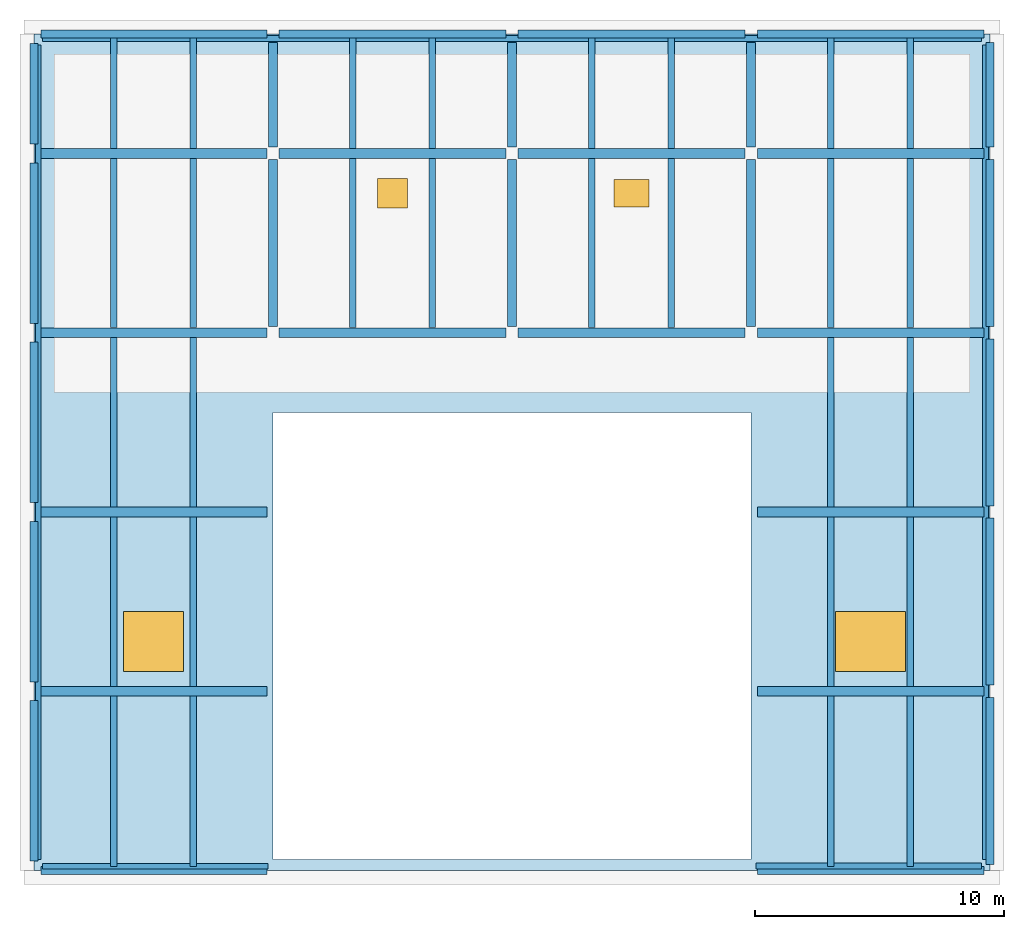
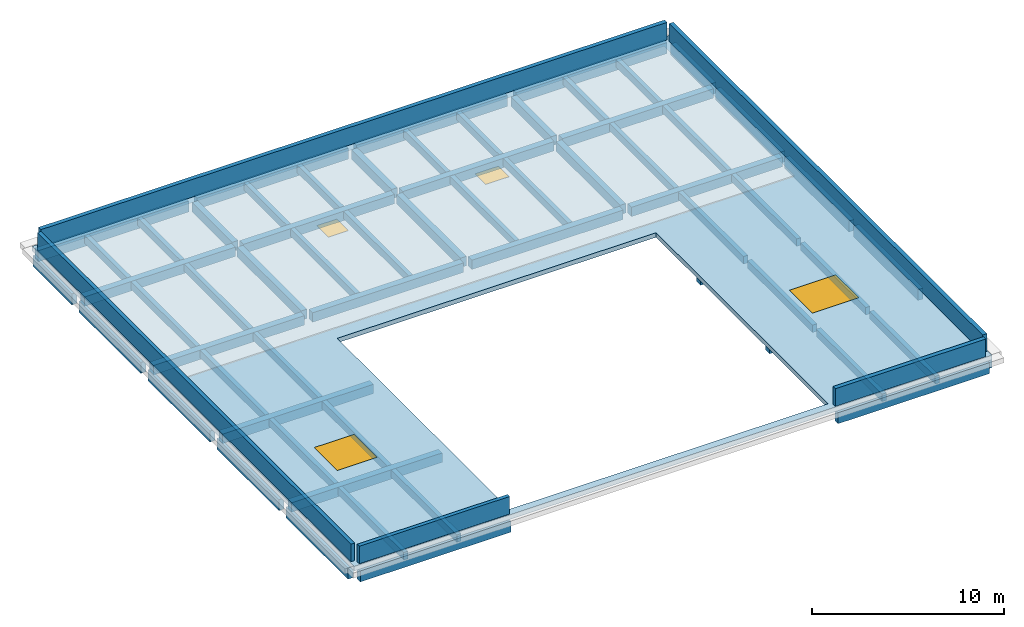
"""IFC4 building model written with IfcOpenShell, lengths in metres."""

from ifc_helpers import new_model, si_unit, direction, frame, frame_2d, origin, origin_2d, place, context, subcontext, project, spatial, polyline, rectangle, outline, extrude, material, layer, layer_set, material_profile, profile_set, type_object, element, fill, save


model = new_model("IFC4")

# Units and contexts
model_context = context("Model", 3, precision=1e-05, world=origin(), true_north=direction((0.0, 1.0)))
body_context = subcontext(model_context, "Body", "Model", "MODEL_VIEW")
ifc_project = project(units=[si_unit("LENGTHUNIT", "METRE"), si_unit("AREAUNIT", "SQUARE_METRE"), si_unit("VOLUMEUNIT", "CUBIC_METRE"), si_unit("PLANEANGLEUNIT", "RADIAN"), si_unit("MASSUNIT", "GRAM", prefix="KILO")], contexts=[model_context])

# Site, building, storey
site_placement = place(None, origin())
site = spatial("IfcSite", under=ifc_project, at=site_placement, CompositionType="ELEMENT")
building_placement = place(site_placement, origin())
building = spatial("IfcBuilding", under=site, at=building_placement, Name="Asteropetra Specialist Clinic", CompositionType="ELEMENT")
storey_1_placement = place(building_placement, frame((0.0, 0.0, 24.820068359375)))
storey_1 = spatial("IfcBuildingStorey", under=building, at=storey_1_placement, Name="ROOF", CompositionType="ELEMENT", Elevation=24.820068359375)

# Beams
ifc_material_1 = material(Name="Concrete C35/45", Category="concrete")
ifc_material_profile_1 = material_profile(ifc_material_1, rectangle(XDim=0.35009765625, YDim=0.60009765625, at=origin_2d()), Name="RCB 350x600")
ifc_profile_set_1 = profile_set([ifc_material_profile_1], Name="Concrete C35/45")
beam_type_1 = type_object("IfcBeamType", Name="BM-RC350x600", PredefinedType="BEAM", material=ifc_profile_set_1)
for number, where, z_axis, x_axis, name in (
    (1, (9.60009765625, 98.64990234375, -0.590087890625), (0.0, 1.0, 0.0), (-1.0, 0.0, 0.0), "Beam BBM09-2155"),
    (2, (19.199951171875, 98.64990234375, -0.590087890625), (0.0, 1.0, 0.0), (-1.0, 0.0, 0.0), "Beam BBM09-2156"),
    (3, (28.800048828125, 98.64990234375, -0.590087890625), (0.0, 1.0, 0.0), (-1.0, 0.0, 0.0), "Beam BBM09-2157"),
):
    element("IfcBeam", number, at=place(storey_1_placement, frame(where, z_axis=z_axis, x_axis=x_axis)), inside=storey_1, type_object=beam_type_1, Name=name, PredefinedType="BEAM", context=body_context, shape_type="SweptSolid", body=[
        extrude(rectangle(XDim=0.35009765625, YDim=0.60009765625, at=origin_2d()), origin(), (0.0, 0.0, 1.0), 6.7001953125),
    ])
for number, where, z_axis, x_axis, name in (
    (4, (9.60009765625, 105.85009765625, -0.590087890625), (0.0, 1.0, 0.0), (-1.0, 0.0, 0.0), "Beam BBM09-2168"),
    (5, (19.199951171875, 105.85009765625, -0.590087890625), (0.0, 1.0, 0.0), (-1.0, 0.0, 0.0), "Beam BBM09-2169"),
    (6, (28.800048828125, 105.85009765625, -0.590087890625), (0.0, 1.0, 0.0), (-1.0, 0.0, 0.0), "Beam BBM09-2170"),
):
    element("IfcBeam", number, at=place(storey_1_placement, frame(where, z_axis=z_axis, x_axis=x_axis)), inside=storey_1, type_object=beam_type_1, Name=name, PredefinedType="BEAM", context=body_context, shape_type="SweptSolid", body=[
        extrude(rectangle(XDim=0.35009765625, YDim=0.60009765625, at=origin_2d()), origin(), (0.0, 0.0, 1.0), 4.199951171875),
    ])
ifc_material_2 = material(Name="Concrete C35/45", Category="concrete")
ifc_material_profile_2 = material_profile(ifc_material_2, rectangle(XDim=0.39990234375, YDim=0.60009765625, at=origin_2d()), Name="RCB 400x600")
ifc_profile_set_2 = profile_set([ifc_material_profile_2], Name="Concrete C35/45")
beam_type_2 = type_object("IfcBeamType", Name="BM-RC400x600", PredefinedType="BEAM", material=ifc_profile_set_2)
beam_1_placement = place(storey_1_placement, frame((0.27490234375, 84.0, -0.590087890625), z_axis=(1.0, 0.0, 0.0), x_axis=(0.0, 1.0, 0.0)))
element("IfcBeam", 7, at=beam_1_placement, inside=storey_1, type_object=beam_type_2, Name="Beam BBM08-2120", PredefinedType="BEAM", context=body_context, shape_type="SweptSolid", body=[
    extrude(rectangle(XDim=0.39990234375, YDim=0.60009765625, at=origin_2d()), origin(), (0.0, 0.0, 1.0), 9.0751953125),
])
beam_2_placement = place(storey_1_placement, frame((29.050048828125, 84.0, -0.590087890625), z_axis=(1.0, 0.0, 0.0), x_axis=(0.0, 1.0, 0.0)))
element("IfcBeam", 8, at=beam_2_placement, inside=storey_1, type_object=beam_type_2, Name="Beam BBM08-2121", PredefinedType="BEAM", context=body_context, shape_type="SweptSolid", body=[
    extrude(rectangle(XDim=0.39990234375, YDim=0.60009765625, at=origin_2d()), origin(), (0.0, 0.0, 1.0), 9.099853515625),
])
beam_3_placement = place(storey_1_placement, frame((0.27490234375, 91.199951171875, -0.590087890625), z_axis=(1.0, 0.0, 0.0), x_axis=(0.0, 1.0, 0.0)))
element("IfcBeam", 9, at=beam_3_placement, inside=storey_1, type_object=beam_type_2, Name="Beam BBM08-2122", PredefinedType="BEAM", context=body_context, shape_type="SweptSolid", body=[
    extrude(rectangle(XDim=0.39990234375, YDim=0.60009765625, at=origin_2d()), origin(), (0.0, 0.0, 1.0), 9.0751953125),
])
beam_4_placement = place(storey_1_placement, frame((29.050048828125, 91.199951171875, -0.590087890625), z_axis=(1.0, 0.0, 0.0), x_axis=(0.0, 1.0, 0.0)))
element("IfcBeam", 10, at=beam_4_placement, inside=storey_1, type_object=beam_type_2, Name="Beam BBM08-2123", PredefinedType="BEAM", context=body_context, shape_type="SweptSolid", body=[
    extrude(rectangle(XDim=0.39990234375, YDim=0.60009765625, at=origin_2d()), origin(), (0.0, 0.0, 1.0), 9.099853515625),
])
beam_5_placement = place(storey_1_placement, frame((0.27490234375, 98.39990234375, -0.590087890625), z_axis=(1.0, 0.0, 0.0), x_axis=(0.0, 1.0, 0.0)))
element("IfcBeam", 11, at=beam_5_placement, inside=storey_1, type_object=beam_type_2, Name="Beam BBM08-2124", PredefinedType="BEAM", context=body_context, shape_type="SweptSolid", body=[
    extrude(rectangle(XDim=0.39990234375, YDim=0.60009765625, at=origin_2d()), origin(), (0.0, 0.0, 1.0), 9.0751953125),
])
beam_6_placement = place(storey_1_placement, frame((9.85009765625, 98.39990234375, -0.590087890625), z_axis=(1.0, 0.0, 0.0), x_axis=(0.0, 1.0, 0.0)))
element("IfcBeam", 12, at=beam_6_placement, inside=storey_1, type_object=beam_type_2, Name="Beam BBM08-2125", PredefinedType="BEAM", context=body_context, shape_type="SweptSolid", body=[
    extrude(rectangle(XDim=0.39990234375, YDim=0.60009765625, at=origin_2d()), origin(), (0.0, 0.0, 1.0), 9.099853515625),
])
beam_7_placement = place(storey_1_placement, frame((19.449951171875, 98.39990234375, -0.590087890625), z_axis=(1.0, 0.0, 0.0), x_axis=(0.0, 1.0, 0.0)))
element("IfcBeam", 13, at=beam_7_placement, inside=storey_1, type_object=beam_type_2, Name="Beam BBM08-2126", PredefinedType="BEAM", context=body_context, shape_type="SweptSolid", body=[
    extrude(rectangle(XDim=0.39990234375, YDim=0.60009765625, at=origin_2d()), origin(), (0.0, 0.0, 1.0), 9.10009765625),
])
beam_8_placement = place(storey_1_placement, frame((29.050048828125, 98.39990234375, -0.590087890625), z_axis=(1.0, 0.0, 0.0), x_axis=(0.0, 1.0, 0.0)))
element("IfcBeam", 14, at=beam_8_placement, inside=storey_1, type_object=beam_type_2, Name="Beam BBM08-2127", PredefinedType="BEAM", context=body_context, shape_type="SweptSolid", body=[
    extrude(rectangle(XDim=0.39990234375, YDim=0.60009765625, at=origin_2d()), origin(), (0.0, 0.0, 1.0), 9.099853515625),
])
beam_9_placement = place(storey_1_placement, frame((0.27490234375, 105.60009765625, -0.590087890625), z_axis=(1.0, 0.0, 0.0), x_axis=(0.0, 1.0, 0.0)))
element("IfcBeam", 15, at=beam_9_placement, inside=storey_1, type_object=beam_type_2, Name="Beam BBM08-2128", PredefinedType="BEAM", context=body_context, shape_type="SweptSolid", body=[
    extrude(rectangle(XDim=0.39990234375, YDim=0.60009765625, at=origin_2d()), origin(), (0.0, 0.0, 1.0), 9.0751953125),
])
beam_10_placement = place(storey_1_placement, frame((9.85009765625, 105.60009765625, -0.590087890625), z_axis=(1.0, 0.0, 0.0), x_axis=(0.0, 1.0, 0.0)))
element("IfcBeam", 16, at=beam_10_placement, inside=storey_1, type_object=beam_type_2, Name="Beam BBM08-2129", PredefinedType="BEAM", context=body_context, shape_type="SweptSolid", body=[
    extrude(rectangle(XDim=0.39990234375, YDim=0.60009765625, at=origin_2d()), origin(), (0.0, 0.0, 1.0), 9.099853515625),
])
beam_11_placement = place(storey_1_placement, frame((19.449951171875, 105.60009765625, -0.590087890625), z_axis=(1.0, 0.0, 0.0), x_axis=(0.0, 1.0, 0.0)))
element("IfcBeam", 17, at=beam_11_placement, inside=storey_1, type_object=beam_type_2, Name="Beam BBM08-2130", PredefinedType="BEAM", context=body_context, shape_type="SweptSolid", body=[
    extrude(rectangle(XDim=0.39990234375, YDim=0.60009765625, at=origin_2d()), origin(), (0.0, 0.0, 1.0), 9.10009765625),
])
beam_12_placement = place(storey_1_placement, frame((29.050048828125, 105.60009765625, -0.590087890625), z_axis=(1.0, 0.0, 0.0), x_axis=(0.0, 1.0, 0.0)))
element("IfcBeam", 18, at=beam_12_placement, inside=storey_1, type_object=beam_type_2, Name="Beam BBM08-2131", PredefinedType="BEAM", context=body_context, shape_type="SweptSolid", body=[
    extrude(rectangle(XDim=0.39990234375, YDim=0.60009765625, at=origin_2d()), origin(), (0.0, 0.0, 1.0), 9.099853515625),
])
ifc_material_3 = material(Name="Concrete C35/45", Category="concrete")
ifc_material_profile_3 = material_profile(ifc_material_3, rectangle(XDim=0.260009765625, YDim=0.47998046875, at=origin_2d()), Name="RCJ 260x480")
ifc_profile_set_3 = profile_set([ifc_material_profile_3], Name="Concrete C35/45")
beam_type_3 = type_object("IfcBeamType", Name="JST-RC260x480", PredefinedType="JOIST", material=ifc_profile_set_3)
for number, where, z_axis, x_axis, name in (
    (19, (3.199951171875, 76.9599609375, -0.530029296875), (0.0, 1.0, 0.0), (-1.0, 0.0, 0.0), "Joist JJST02-2138"),
    (20, (6.39990234375, 76.9599609375, -0.530029296875), (0.0, 1.0, 0.0), (-1.0, 0.0, 0.0), "Joist JJST02-2139"),
    (21, (32.0, 76.9599609375, -0.530029296875), (0.0, 1.0, 0.0), (-1.0, 0.0, 0.0), "Joist JJST02-2140"),
    (22, (35.199951171875, 76.9599609375, -0.530029296875), (0.0, 1.0, 0.0), (-1.0, 0.0, 0.0), "Joist JJST02-2141"),
):
    element("IfcBeam", number, at=place(storey_1_placement, frame(where, z_axis=z_axis, x_axis=x_axis)), inside=storey_1, type_object=beam_type_3, Name=name, PredefinedType="JOIST", context=body_context, shape_type="SweptSolid", body=[
        extrude(rectangle(XDim=0.260009765625, YDim=0.47998046875, at=origin_2d()), origin(), (0.0, 0.0, 1.0), 6.840087890625),
    ])
for number, where, z_axis, x_axis, name in (
    (23, (3.199951171875, 84.199951171875, -0.530029296875), (0.0, 1.0, 0.0), (-1.0, 0.0, 0.0), "Joist JJST02-2144"),
    (24, (6.39990234375, 84.199951171875, -0.530029296875), (0.0, 1.0, 0.0), (-1.0, 0.0, 0.0), "Joist JJST02-2145"),
    (25, (32.0, 84.199951171875, -0.530029296875), (0.0, 1.0, 0.0), (-1.0, 0.0, 0.0), "Joist JJST02-2146"),
    (26, (35.199951171875, 84.199951171875, -0.530029296875), (0.0, 1.0, 0.0), (-1.0, 0.0, 0.0), "Joist JJST02-2147"),
    (27, (3.199951171875, 91.39990234375, -0.530029296875), (0.0, 1.0, 0.0), (-1.0, 0.0, 0.0), "Joist JJST02-2150"),
    (28, (6.39990234375, 91.39990234375, -0.530029296875), (0.0, 1.0, 0.0), (-1.0, 0.0, 0.0), "Joist JJST02-2151"),
    (29, (32.0, 91.39990234375, -0.530029296875), (0.0, 1.0, 0.0), (-1.0, 0.0, 0.0), "Joist JJST02-2152"),
    (30, (35.199951171875, 91.39990234375, -0.530029296875), (0.0, 1.0, 0.0), (-1.0, 0.0, 0.0), "Joist JJST02-2153"),
):
    element("IfcBeam", number, at=place(storey_1_placement, frame(where, z_axis=z_axis, x_axis=x_axis)), inside=storey_1, type_object=beam_type_3, Name=name, PredefinedType="JOIST", context=body_context, shape_type="SweptSolid", body=[
        extrude(rectangle(XDim=0.260009765625, YDim=0.47998046875, at=origin_2d()), origin(), (0.0, 0.0, 1.0), 6.800048828125),
    ])
for number, where, z_axis, x_axis, name in (
    (31, (3.199951171875, 98.60009765625, -0.530029296875), (0.0, 1.0, 0.0), (-1.0, 0.0, 0.0), "Joist JJST02-2159"),
    (32, (6.39990234375, 98.60009765625, -0.530029296875), (0.0, 1.0, 0.0), (-1.0, 0.0, 0.0), "Joist JJST02-2160"),
    (33, (12.800048828125, 98.60009765625, -0.530029296875), (0.0, 1.0, 0.0), (-1.0, 0.0, 0.0), "Joist JJST02-2161"),
    (34, (16.0, 98.60009765625, -0.530029296875), (0.0, 1.0, 0.0), (-1.0, 0.0, 0.0), "Joist JJST02-2162"),
    (35, (22.39990234375, 98.60009765625, -0.530029296875), (0.0, 1.0, 0.0), (-1.0, 0.0, 0.0), "Joist JJST02-2163"),
    (36, (25.60009765625, 98.60009765625, -0.530029296875), (0.0, 1.0, 0.0), (-1.0, 0.0, 0.0), "Joist JJST02-2164"),
    (37, (32.0, 98.60009765625, -0.530029296875), (0.0, 1.0, 0.0), (-1.0, 0.0, 0.0), "Joist JJST02-2165"),
    (38, (35.199951171875, 98.60009765625, -0.530029296875), (0.0, 1.0, 0.0), (-1.0, 0.0, 0.0), "Joist JJST02-2166"),
):
    element("IfcBeam", number, at=place(storey_1_placement, frame(where, z_axis=z_axis, x_axis=x_axis)), inside=storey_1, type_object=beam_type_3, Name=name, PredefinedType="JOIST", context=body_context, shape_type="SweptSolid", body=[
        extrude(rectangle(XDim=0.260009765625, YDim=0.47998046875, at=origin_2d()), origin(), (0.0, 0.0, 1.0), 6.7998046875),
    ])
for number, where, z_axis, x_axis, name in (
    (39, (3.199951171875, 105.800048828125, -0.530029296875), (0.0, 1.0, 0.0), (-1.0, 0.0, 0.0), "Joist JJST02-2172"),
    (40, (6.39990234375, 105.800048828125, -0.530029296875), (0.0, 1.0, 0.0), (-1.0, 0.0, 0.0), "Joist JJST02-2173"),
    (41, (12.800048828125, 105.800048828125, -0.530029296875), (0.0, 1.0, 0.0), (-1.0, 0.0, 0.0), "Joist JJST02-2174"),
    (42, (16.0, 105.800048828125, -0.530029296875), (0.0, 1.0, 0.0), (-1.0, 0.0, 0.0), "Joist JJST02-2175"),
    (43, (22.39990234375, 105.800048828125, -0.530029296875), (0.0, 1.0, 0.0), (-1.0, 0.0, 0.0), "Joist JJST02-2176"),
    (44, (25.60009765625, 105.800048828125, -0.530029296875), (0.0, 1.0, 0.0), (-1.0, 0.0, 0.0), "Joist JJST02-2177"),
    (45, (32.0, 105.800048828125, -0.530029296875), (0.0, 1.0, 0.0), (-1.0, 0.0, 0.0), "Joist JJST02-2178"),
    (46, (35.199951171875, 105.800048828125, -0.530029296875), (0.0, 1.0, 0.0), (-1.0, 0.0, 0.0), "Joist JJST02-2179"),
):
    element("IfcBeam", number, at=place(storey_1_placement, frame(where, z_axis=z_axis, x_axis=x_axis)), inside=storey_1, type_object=beam_type_3, Name=name, PredefinedType="JOIST", context=body_context, shape_type="SweptSolid", body=[
        extrude(rectangle(XDim=0.260009765625, YDim=0.47998046875, at=origin_2d()), origin(), (0.0, 0.0, 1.0), 4.43994140625),
    ])
ifc_material_4 = material(Name="Concrete C35/45", Category="concrete")
ifc_material_profile_4 = material_profile(ifc_material_4, rectangle(XDim=0.320068359375, YDim=0.699951171875, at=origin_2d()), Name="RCS 320x700")
ifc_profile_set_4 = profile_set([ifc_material_profile_4], Name="Concrete C35/45")
beam_type_4 = type_object("IfcBeamType", Name="SPN-RC320x700", PredefinedType="SPANDREL", material=ifc_profile_set_4)
beam_13_placement = place(storey_1_placement, frame((0.27490234375, 76.800048828125, -0.64013671875), z_axis=(1.0, 0.0, 0.0), x_axis=(0.0, 1.0, 0.0)))
element("IfcBeam", 47, at=beam_13_placement, inside=storey_1, type_object=beam_type_4, Name="Beam BSPN02-2118", PredefinedType="SPANDREL", context=body_context, shape_type="SweptSolid", body=[
    extrude(rectangle(XDim=0.320068359375, YDim=0.699951171875, at=origin_2d()), origin(), (0.0, 0.0, 1.0), 9.0751953125),
])
beam_14_placement = place(storey_1_placement, frame((29.050048828125, 76.800048828125, -0.64013671875), z_axis=(1.0, 0.0, 0.0), x_axis=(0.0, 1.0, 0.0)))
element("IfcBeam", 48, at=beam_14_placement, inside=storey_1, type_object=beam_type_4, Name="Beam BSPN02-2119", PredefinedType="SPANDREL", context=body_context, shape_type="SweptSolid", body=[
    extrude(rectangle(XDim=0.320068359375, YDim=0.699951171875, at=origin_2d()), origin(), (0.0, 0.0, 1.0), 9.099853515625),
])
beam_15_placement = place(storey_1_placement, frame((0.27490234375, 110.39990234375, -0.64013671875), z_axis=(1.0, 0.0, 0.0), x_axis=(0.0, 1.0, 0.0)))
element("IfcBeam", 49, at=beam_15_placement, inside=storey_1, type_object=beam_type_4, Name="Beam BSPN02-2132", PredefinedType="SPANDREL", context=body_context, shape_type="SweptSolid", body=[
    extrude(rectangle(XDim=0.320068359375, YDim=0.699951171875, at=origin_2d()), origin(), (0.0, 0.0, 1.0), 9.0751953125),
])
beam_16_placement = place(storey_1_placement, frame((9.85009765625, 110.39990234375, -0.64013671875), z_axis=(1.0, 0.0, 0.0), x_axis=(0.0, 1.0, 0.0)))
element("IfcBeam", 50, at=beam_16_placement, inside=storey_1, type_object=beam_type_4, Name="Beam BSPN02-2133", PredefinedType="SPANDREL", context=body_context, shape_type="SweptSolid", body=[
    extrude(rectangle(XDim=0.320068359375, YDim=0.699951171875, at=origin_2d()), origin(), (0.0, 0.0, 1.0), 9.099853515625),
])
beam_17_placement = place(storey_1_placement, frame((19.449951171875, 110.39990234375, -0.64013671875), z_axis=(1.0, 0.0, 0.0), x_axis=(0.0, 1.0, 0.0)))
element("IfcBeam", 51, at=beam_17_placement, inside=storey_1, type_object=beam_type_4, Name="Beam BSPN02-2134", PredefinedType="SPANDREL", context=body_context, shape_type="SweptSolid", body=[
    extrude(rectangle(XDim=0.320068359375, YDim=0.699951171875, at=origin_2d()), origin(), (0.0, 0.0, 1.0), 9.10009765625),
])
beam_18_placement = place(storey_1_placement, frame((29.050048828125, 110.39990234375, -0.64013671875), z_axis=(1.0, 0.0, 0.0), x_axis=(0.0, 1.0, 0.0)))
element("IfcBeam", 52, at=beam_18_placement, inside=storey_1, type_object=beam_type_4, Name="Beam BSPN02-2135", PredefinedType="SPANDREL", context=body_context, shape_type="SweptSolid", body=[
    extrude(rectangle(XDim=0.320068359375, YDim=0.699951171875, at=origin_2d()), origin(), (0.0, 0.0, 1.0), 9.099853515625),
])
beam_19_placement = place(storey_1_placement, frame((0.0, 77.175048828125, -0.64013671875), z_axis=(0.0, 1.0, 0.0), x_axis=(-1.0, 0.0, 0.0)))
element("IfcBeam", 53, at=beam_19_placement, inside=storey_1, type_object=beam_type_4, Name="Beam BSPN02-2136", PredefinedType="SPANDREL", context=body_context, shape_type="SweptSolid", body=[
    extrude(rectangle(XDim=0.320068359375, YDim=0.699951171875, at=origin_2d()), origin(), (0.0, 0.0, 1.0), 6.449951171875),
])
beam_20_placement = place(storey_1_placement, frame((38.39990234375, 77.050048828125, -0.64013671875), z_axis=(0.0, 1.0, 0.0), x_axis=(-1.0, 0.0, 0.0)))
element("IfcBeam", 54, at=beam_20_placement, inside=storey_1, type_object=beam_type_4, Name="Beam BSPN02-2137", PredefinedType="SPANDREL", context=body_context, shape_type="SweptSolid", body=[
    extrude(rectangle(XDim=0.320068359375, YDim=0.699951171875, at=origin_2d()), origin(), (0.0, 0.0, 1.0), 6.699951171875),
])
beam_21_placement = place(storey_1_placement, frame((0.0, 84.375, -0.64013671875), z_axis=(0.0, 1.0, 0.0), x_axis=(-1.0, 0.0, 0.0)))
element("IfcBeam", 55, at=beam_21_placement, inside=storey_1, type_object=beam_type_4, Name="Beam BSPN02-2142", PredefinedType="SPANDREL", context=body_context, shape_type="SweptSolid", body=[
    extrude(rectangle(XDim=0.320068359375, YDim=0.699951171875, at=origin_2d()), origin(), (0.0, 0.0, 1.0), 6.449951171875),
])
beam_22_placement = place(storey_1_placement, frame((38.39990234375, 84.25, -0.64013671875), z_axis=(0.0, 1.0, 0.0), x_axis=(-1.0, 0.0, 0.0)))
element("IfcBeam", 56, at=beam_22_placement, inside=storey_1, type_object=beam_type_4, Name="Beam BSPN02-2143", PredefinedType="SPANDREL", context=body_context, shape_type="SweptSolid", body=[
    extrude(rectangle(XDim=0.320068359375, YDim=0.699951171875, at=origin_2d()), origin(), (0.0, 0.0, 1.0), 6.699951171875),
])
beam_23_placement = place(storey_1_placement, frame((0.0, 91.574951171875, -0.64013671875), z_axis=(0.0, 1.0, 0.0), x_axis=(-1.0, 0.0, 0.0)))
element("IfcBeam", 57, at=beam_23_placement, inside=storey_1, type_object=beam_type_4, Name="Beam BSPN02-2148", PredefinedType="SPANDREL", context=body_context, shape_type="SweptSolid", body=[
    extrude(rectangle(XDim=0.320068359375, YDim=0.699951171875, at=origin_2d()), origin(), (0.0, 0.0, 1.0), 6.449951171875),
])
beam_24_placement = place(storey_1_placement, frame((38.39990234375, 91.449951171875, -0.64013671875), z_axis=(0.0, 1.0, 0.0), x_axis=(-1.0, 0.0, 0.0)))
element("IfcBeam", 58, at=beam_24_placement, inside=storey_1, type_object=beam_type_4, Name="Beam BSPN02-2149", PredefinedType="SPANDREL", context=body_context, shape_type="SweptSolid", body=[
    extrude(rectangle(XDim=0.320068359375, YDim=0.699951171875, at=origin_2d()), origin(), (0.0, 0.0, 1.0), 6.699951171875),
])
beam_25_placement = place(storey_1_placement, frame((0.0, 98.77490234375, -0.64013671875), z_axis=(0.0, 1.0, 0.0), x_axis=(-1.0, 0.0, 0.0)))
element("IfcBeam", 59, at=beam_25_placement, inside=storey_1, type_object=beam_type_4, Name="Beam BSPN02-2154", PredefinedType="SPANDREL", context=body_context, shape_type="SweptSolid", body=[
    extrude(rectangle(XDim=0.320068359375, YDim=0.699951171875, at=origin_2d()), origin(), (0.0, 0.0, 1.0), 6.4501953125),
])
beam_26_placement = place(storey_1_placement, frame((38.39990234375, 98.64990234375, -0.64013671875), z_axis=(0.0, 1.0, 0.0), x_axis=(-1.0, 0.0, 0.0)))
element("IfcBeam", 60, at=beam_26_placement, inside=storey_1, type_object=beam_type_4, Name="Beam BSPN02-2158", PredefinedType="SPANDREL", context=body_context, shape_type="SweptSolid", body=[
    extrude(rectangle(XDim=0.320068359375, YDim=0.699951171875, at=origin_2d()), origin(), (0.0, 0.0, 1.0), 6.7001953125),
])
beam_27_placement = place(storey_1_placement, frame((0.0, 105.97509765625, -0.64013671875), z_axis=(0.0, 1.0, 0.0), x_axis=(-1.0, 0.0, 0.0)))
element("IfcBeam", 61, at=beam_27_placement, inside=storey_1, type_object=beam_type_4, Name="Beam BSPN02-2167", PredefinedType="SPANDREL", context=body_context, shape_type="SweptSolid", body=[
    extrude(rectangle(XDim=0.320068359375, YDim=0.699951171875, at=origin_2d()), origin(), (0.0, 0.0, 1.0), 4.0498046875),
])
beam_28_placement = place(storey_1_placement, frame((38.39990234375, 105.85009765625, -0.64013671875), z_axis=(0.0, 1.0, 0.0), x_axis=(-1.0, 0.0, 0.0)))
element("IfcBeam", 62, at=beam_28_placement, inside=storey_1, type_object=beam_type_4, Name="Beam BSPN02-2171", PredefinedType="SPANDREL", context=body_context, shape_type="SweptSolid", body=[
    extrude(rectangle(XDim=0.320068359375, YDim=0.699951171875, at=origin_2d()), origin(), (0.0, 0.0, 1.0), 4.199951171875),
])

# Slab, openings
ifc_material_5 = material(Name="Concrete C35/45", Category="concrete")
ifc_layer_1 = layer(ifc_material_5, 0.2900390625)
ifc_layer_set_1 = layer_set([ifc_layer_1], Name="Concrete C35/45")
slab_type = type_object("IfcSlabType", Name="SLB-ROOF-290", PredefinedType="ROOF", material=ifc_layer_set_1)
slab_placement = place(storey_1_placement, frame((0.0, 0.0, -0.2900390625)))
slab = element("IfcSlab", 63, at=slab_placement, inside=storey_1, type_object=slab_type, Name="Slab V4-ROOF ROOF", PredefinedType="ROOF", context=body_context, shape_type="SweptSolid", body=[
    extrude(outline(polyline([(0.0, 76.800048828125), (38.39990234375, 76.800048828125), (38.39990234375, 110.39990234375), (0.0, 110.39990234375), (0.0, 76.800048828125)]), holes=[polyline([(9.60009765625, 77.25), (28.800048828125, 77.25), (28.800048828125, 95.199951171875), (9.60009765625, 95.199951171875), (9.60009765625, 77.25)])]), origin(), (0.0, 0.0, 1.0), 0.2900390625),
])
opening_1_placement = place(slab_placement, frame((4.800048828125, 86.0, 0.0)))
opening_1 = element("IfcOpeningElement", 64, at=opening_1_placement, cuts=slab, Name="Opening SKYL-01", PredefinedType="OPENING", context=body_context, shape_type="SweptSolid", body=[
    extrude(rectangle(XDim=2.39990234375, YDim=2.39990234375, at=origin_2d()), origin(), (0.0, 0.0, 1.0), 0.2900390625),
])
opening_2_placement = place(slab_placement, frame((33.60009765625, 86.0, 0.0)))
opening_2 = element("IfcOpeningElement", 65, at=opening_2_placement, cuts=slab, Name="Opening SKYL-02", PredefinedType="OPENING", context=body_context, shape_type="SweptSolid", body=[
    extrude(rectangle(XDim=2.800048828125, YDim=2.39990234375, at=origin_2d()), origin(), (0.0, 0.0, 1.0), 0.2900390625),
])
opening_3_placement = place(slab_placement, frame((14.39990234375, 104.0, 0.0)))
opening_3 = element("IfcOpeningElement", 66, at=opening_3_placement, cuts=slab, Name="Opening RHAT-01", PredefinedType="OPENING", context=body_context, shape_type="SweptSolid", body=[
    extrude(rectangle(XDim=1.199951171875, YDim=1.199951171875, at=origin_2d()), origin(), (0.0, 0.0, 1.0), 0.2900390625),
])
opening_4_placement = place(slab_placement, frame((24.0, 104.0, 0.0)))
opening_4 = element("IfcOpeningElement", 67, at=opening_4_placement, cuts=slab, Name="Opening RHAT-02", PredefinedType="OPENING", context=body_context, shape_type="SweptSolid", body=[
    extrude(rectangle(XDim=1.39990234375, YDim=1.10009765625, at=origin_2d()), origin(), (0.0, 0.0, 1.0), 0.2900390625),
])

# Storey
storey_2_placement = place(building_placement, frame((0.0, 0.0, 20.739990234375)))
storey_2 = spatial("IfcBuildingStorey", under=building, at=storey_2_placement, Name="L05", CompositionType="ELEMENT", Elevation=20.739990234375)

# Door
ifc_material_6 = material(Name="Insulated aluminium roof hatch", Category="aluminium")
door_type_1 = type_object("IfcDoorType", Name="HTH-ROOF-1200", OperationType="SINGLE_SWING_LEFT", PredefinedType="TRAPDOOR", material=ifc_material_6)
door_1_placement = place(opening_3_placement, frame((0.0, 0.0, 0.239990234375)))
door_1 = element("IfcDoor", 68, at=door_1_placement, inside=storey_2, type_object=door_type_1, Name="Roof Opening RHAT-01", OperationType="SINGLE_SWING_LEFT", OverallHeight=1.199951171875, OverallWidth=1.199951171875, PredefinedType="TRAPDOOR", context=body_context, shape_type="SweptSolid", body=[
    extrude(rectangle(XDim=1.199951171875, YDim=1.199951171875, at=origin_2d()), origin(), (0.0, 0.0, 1.0), 0.050048828125),
])

fill(opening_3, door_1)

ifc_material_7 = material(Name="Insulated aluminium roof hatch", Category="aluminium")
door_type_2 = type_object("IfcDoorType", Name="HTH-ROOF-1400", OperationType="SINGLE_SWING_LEFT", PredefinedType="TRAPDOOR", material=ifc_material_7)
door_2_placement = place(opening_4_placement, frame((0.0, 0.0, 0.239990234375)))
door_2 = element("IfcDoor", 69, at=door_2_placement, inside=storey_2, type_object=door_type_2, Name="Roof Opening RHAT-02", OperationType="SINGLE_SWING_LEFT", OverallHeight=1.10009765625, OverallWidth=1.39990234375, PredefinedType="TRAPDOOR", context=body_context, shape_type="SweptSolid", body=[
    extrude(rectangle(XDim=1.39990234375, YDim=1.10009765625, at=origin_2d()), origin(), (0.0, 0.0, 1.0), 0.050048828125),
])

fill(opening_4, door_2)

# Window
ifc_material_8 = material(Name="Laminated low-E skylight glass", Category="glass")
window_type_1 = type_object("IfcWindowType", Name="SKY-T01", PartitioningType="SINGLE_PANEL", PredefinedType="SKYLIGHT", material=ifc_material_8)
window_1_placement = place(opening_1_placement, frame((0.0, 0.0, 0.239990234375)))
window_1 = element("IfcWindow", 70, at=window_1_placement, inside=storey_2, type_object=window_type_1, Name="Roof Opening SKYL-01", OverallHeight=2.39990234375, OverallWidth=2.39990234375, PartitioningType="SINGLE_PANEL", PredefinedType="SKYLIGHT", context=body_context, shape_type="SweptSolid", body=[
    extrude(rectangle(XDim=2.39990234375, YDim=2.39990234375, at=origin_2d()), origin(), (0.0, 0.0, 1.0), 0.050048828125),
])

fill(opening_1, window_1)

ifc_material_9 = material(Name="Laminated low-E skylight glass", Category="glass")
window_type_2 = type_object("IfcWindowType", Name="SKY-T02", PartitioningType="SINGLE_PANEL", PredefinedType="SKYLIGHT", material=ifc_material_9)
window_2_placement = place(opening_2_placement, frame((0.0, 0.0, 0.239990234375)))
window_2 = element("IfcWindow", 71, at=window_2_placement, inside=storey_2, type_object=window_type_2, Name="Roof Opening SKYL-02", OverallHeight=2.39990234375, OverallWidth=2.800048828125, PartitioningType="SINGLE_PANEL", PredefinedType="SKYLIGHT", context=body_context, shape_type="SweptSolid", body=[
    extrude(rectangle(XDim=2.800048828125, YDim=2.39990234375, at=origin_2d()), origin(), (0.0, 0.0, 1.0), 0.050048828125),
])

fill(opening_2, window_2)

# Walls
ifc_material_10 = material(Name="Piraeus poros limestone", Category="masonry")
ifc_layer_2 = layer(ifc_material_10, 0.219970703125)
ifc_layer_set_2 = layer_set([ifc_layer_2], Name="Piraeus poros limestone")
wall_type_1 = type_object("IfcWallType", Name="EW-PARAPET-220", PredefinedType="PARAPET", material=ifc_layer_set_2)
wall_1_placement = place(storey_1_placement, frame((0.35009765625, 76.97998046875, 0.0), z_axis=(0.0, 0.0, 1.0), x_axis=(1.0, 0.0, 0.0)))
element("IfcWall", 72, at=wall_1_placement, inside=storey_1, type_object=wall_type_1, Name="Roof Parapet WP-02", PredefinedType="PARAPET", context=body_context, shape_type="SweptSolid", body=[
    extrude(rectangle(XDim=9.0498046875, YDim=0.219970703125, at=frame_2d((4.52490234375, 0.0))), origin(), (0.0, 0.0, 1.0), 1.119873046875),
])
wall_2_placement = place(storey_1_placement, frame((0.179931640625, 77.25, 0.0), z_axis=(0.0, 0.0, 1.0), x_axis=(0.0, 1.0, 0.0)))
element("IfcWall", 73, at=wall_2_placement, inside=storey_1, type_object=wall_type_1, Name="Roof Parapet WP-04", PredefinedType="PARAPET", context=body_context, shape_type="SweptSolid", body=[
    extrude(rectangle(XDim=32.699951171875, YDim=0.219970703125, at=frame_2d((16.35009765625, 0.0))), origin(), (0.0, 0.0, 1.0), 1.119873046875),
])
ifc_material_11 = material(Name="Pentelic marble ashlar", Category="masonry")
ifc_layer_3 = layer(ifc_material_11, 0.25)
ifc_layer_set_3 = layer_set([ifc_layer_3], Name="Pentelic marble ashlar")
wall_type_2 = type_object("IfcWallType", Name="EW-PARAPET-250", PredefinedType="PARAPET", material=ifc_layer_set_3)
wall_3_placement = place(storey_1_placement, frame((0.35009765625, 110.219970703125, 0.0), z_axis=(0.0, 0.0, 1.0), x_axis=(1.0, 0.0, 0.0)))
element("IfcWall", 74, at=wall_3_placement, inside=storey_1, type_object=wall_type_2, Name="Roof Parapet WP-01", PredefinedType="PARAPET", context=body_context, shape_type="SweptSolid", body=[
    extrude(rectangle(XDim=37.699951171875, YDim=0.25, at=frame_2d((18.85009765625, 0.0))), origin(), (0.0, 0.0, 1.0), 1.119873046875),
])
wall_4_placement = place(storey_1_placement, frame((29.0, 76.97998046875, 0.0), z_axis=(0.0, 0.0, 1.0), x_axis=(1.0, 0.0, 0.0)))
element("IfcWall", 75, at=wall_4_placement, inside=storey_1, type_object=wall_type_2, Name="Roof Parapet WP-03", PredefinedType="PARAPET", context=body_context, shape_type="SweptSolid", body=[
    extrude(rectangle(XDim=9.050048828125, YDim=0.25, at=frame_2d((4.52490234375, 0.0))), origin(), (0.0, 0.0, 1.0), 1.119873046875),
])
wall_5_placement = place(storey_1_placement, frame((38.219970703125, 77.25, 0.0), z_axis=(0.0, 0.0, 1.0), x_axis=(0.0, 1.0, 0.0)))
element("IfcWall", 76, at=wall_5_placement, inside=storey_1, type_object=wall_type_2, Name="Roof Parapet WP-05", PredefinedType="PARAPET", context=body_context, shape_type="SweptSolid", body=[
    extrude(rectangle(XDim=32.699951171875, YDim=0.25, at=frame_2d((16.35009765625, 0.0))), origin(), (0.0, 0.0, 1.0), 1.119873046875),
])

save(model, "model.ifc")
